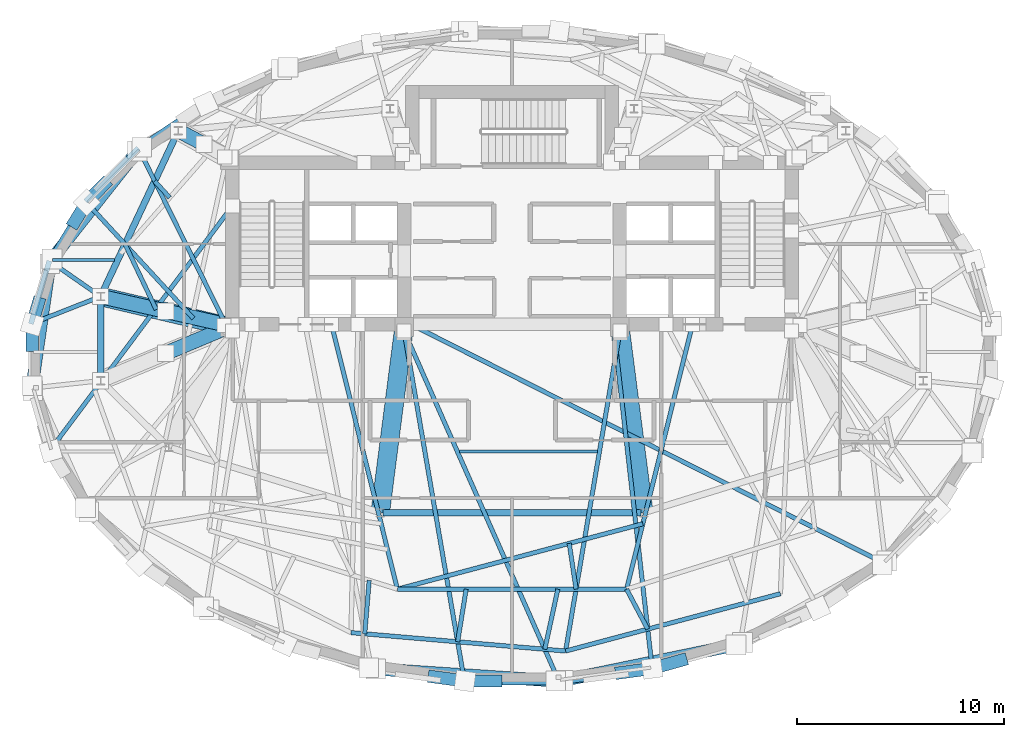
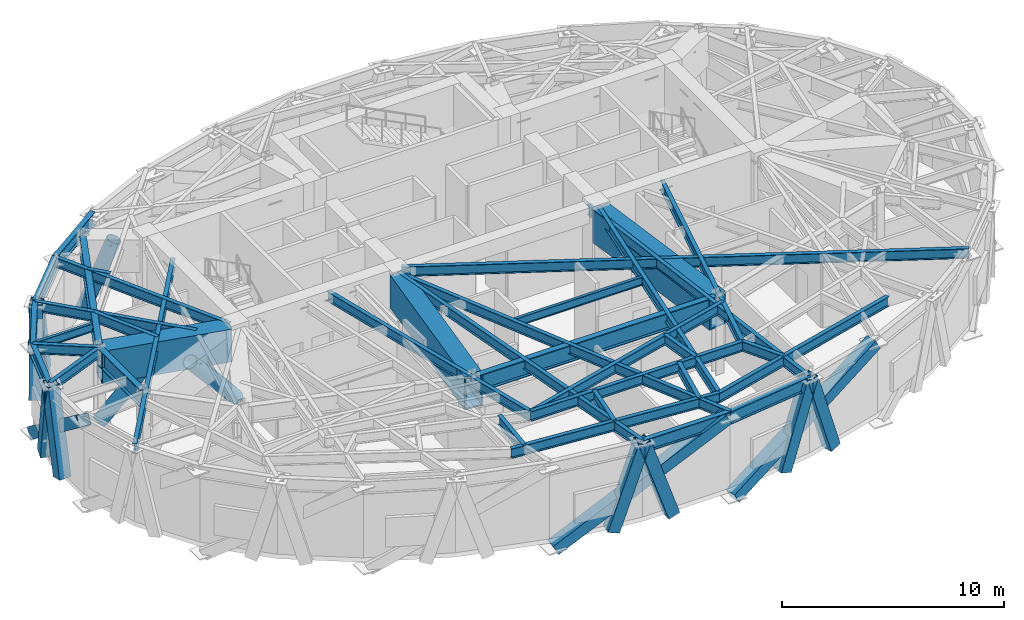
# One storey, part 2 of 12: 37 beams, 16 members.
"""IFC4 building model written with IfcOpenShell, lengths in metres."""

from ifc_helpers import new_model, si_unit, direction, frame, origin, origin_2d, place, context, subcontext, project, spatial, hollow_rectangle, hollow_circle, i_section, extrude, material, material_profile, profile_set, type_object, element, save


model = new_model("IFC4")

# Units and contexts
model_context = context("Model", 3, precision=1e-05, world=origin(), true_north=direction((0.0, 1.0)))
body_context = subcontext(model_context, "Body", "Model", "MODEL_VIEW")
ifc_project = project(units=[si_unit("LENGTHUNIT", "METRE"), si_unit("AREAUNIT", "SQUARE_METRE"), si_unit("VOLUMEUNIT", "CUBIC_METRE"), si_unit("PLANEANGLEUNIT", "RADIAN"), si_unit("MASSUNIT", "GRAM", prefix="KILO")], contexts=[model_context])

# Site, building, storey
site_placement = place(None, origin())
site = spatial("IfcSite", under=ifc_project, at=site_placement, CompositionType="ELEMENT")
building_placement = place(site_placement, origin())
building = spatial("IfcBuilding", under=site, at=building_placement, Name="Keldmark Tower", CompositionType="ELEMENT")
storey_placement = place(building_placement, frame((0.0, 0.0, 201.39990234375)))
storey = spatial("IfcBuildingStorey", under=building, at=storey_placement, Name="L56", CompositionType="ELEMENT", Elevation=201.39990234375)

# Members
ifc_material_1 = material(Name="Steel ASTM A572 Grade 50", Category="steel")
ifc_material_profile_1 = material_profile(ifc_material_1, hollow_rectangle(XDim=0.60009765625, YDim=0.60009765625, WallThickness=0.034912109375, at=origin_2d()), Name="BOX600X600X35")
ifc_profile_set_1 = profile_set([ifc_material_profile_1], Name="Steel ASTM A572 Grade 50")
member_type_1 = type_object("IfcMemberType", Name="Belt Truss Diagonal Brace BOX600", PredefinedType="BRACE", material=ifc_profile_set_1)
member_1_placement = place(storey_placement, frame((-18.066162109375, 9.88232421875, -0.539794921875), z_axis=(-0.511692605622, -0.648975245847, 0.563029135684), x_axis=(0.785268821548, -0.61915497083, 0.0)))
element("IfcMember", 1, at=member_1_placement, inside=storey, type_object=member_type_1, Name="L56 Perimeter Belt Truss Brace 07", PredefinedType="BRACE", context=body_context, shape_type="SweptSolid", body=[
    extrude(hollow_rectangle(XDim=0.60009765625, YDim=0.60009765625, WallThickness=0.034912109375, at=origin_2d()), origin(), (0.0, 0.0, 1.0), 8.027587890625),
])
member_2_placement = place(storey_placement, frame((-22.27490234375, 4.447509765625, -0.539794921875), z_axis=(-0.114320235652, -0.787550304378, 0.605553797606), x_axis=(0.989628019482, -0.14365369141, 0.0)))
element("IfcMember", 2, at=member_2_placement, inside=storey, type_object=member_type_1, Name="L56 Perimeter Belt Truss Brace 08", PredefinedType="BRACE", context=body_context, shape_type="SweptSolid", body=[
    extrude(hollow_rectangle(XDim=0.60009765625, YDim=0.60009765625, WallThickness=0.034912109375, at=origin_2d()), origin(), (0.0, 0.0, 1.0), 7.4638671875),
])
member_3_placement = place(storey_placement, frame((-6.56689453125, -15.08642578125, -0.539794921875), z_axis=(0.885279894936, -0.058980452356, 0.46130338592), x_axis=(0.066476138025, 0.997788015098, 0.0)))
element("IfcMember", 3, at=member_3_placement, inside=storey, type_object=member_type_1, Name="L56 Perimeter Belt Truss Brace 12", PredefinedType="BRACE", context=body_context, shape_type="SweptSolid", body=[
    extrude(hollow_rectangle(XDim=0.60009765625, YDim=0.60009765625, WallThickness=0.034912109375, at=origin_2d()), origin(), (0.0, 0.0, 1.0), 9.7978515625),
])
member_4_placement = place(storey_placement, frame((2.45703125, -15.639892578125, -0.539794921875), z_axis=(0.865165196499, 0.17796135577, 0.468848524173), x_axis=(-0.201478172898, 0.97949300449, 0.0)))
element("IfcMember", 4, at=member_4_placement, inside=storey, type_object=member_type_1, Name="L56 Perimeter Belt Truss Brace 13", PredefinedType="BRACE", context=body_context, shape_type="SweptSolid", body=[
    extrude(hollow_rectangle(XDim=0.60009765625, YDim=0.60009765625, WallThickness=0.034912109375, at=origin_2d()), origin(), (0.0, 0.0, 1.0), 9.64013671875),
])

# Beams
ifc_material_2 = material(Name="Steel ASTM A992 Grade 50", Category="steel")
ifc_material_profile_2 = material_profile(ifc_material_2, i_section(OverallWidth=0.153076171875, OverallDepth=0.455078125, WebThickness=0.008056640625, FlangeThickness=0.01318359375, at=origin_2d()), Name="W18X40")
ifc_profile_set_2 = profile_set([ifc_material_profile_2], Name="Steel ASTM A992 Grade 50")
beam_type_1 = type_object("IfcBeamType", Name="Composite Floor Joist W18X40", PredefinedType="JOIST", material=ifc_profile_set_2)
beam_1_placement = place(storey_placement, frame((-2.52978515625, -4.60009765625, 4.052490234375), z_axis=(1.0, 0.0, 0.0), x_axis=(0.0, 1.0, 0.0)))
element("IfcBeam", 5, at=beam_1_placement, inside=storey, type_object=beam_type_1, Name="L56 Composite Floor Joist J03", PredefinedType="JOIST", context=body_context, shape_type="SweptSolid", body=[
    extrude(i_section(OverallWidth=0.153076171875, OverallDepth=0.455078125, WebThickness=0.008056640625, FlangeThickness=0.01318359375, at=origin_2d()), origin(), (0.0, 0.0, 1.0), 6.648193359375),
])
beam_2_placement = place(storey_placement, frame((-22.135986328125, 4.6201171875, 4.052490234375), z_axis=(1.0, 0.0, 0.0), x_axis=(0.0, 1.0, 0.0)))
element("IfcBeam", 6, at=beam_2_placement, inside=storey, type_object=beam_type_1, Name="L56 Composite Floor Joist J08", PredefinedType="JOIST", context=body_context, shape_type="SweptSolid", body=[
    extrude(i_section(OverallWidth=0.153076171875, OverallDepth=0.455078125, WebThickness=0.008056640625, FlangeThickness=0.01318359375, at=origin_2d()), origin(), (0.0, 0.0, 1.0), 2.966552734375),
])

# Members
ifc_material_3 = material(Name="Steel ASTM A572 Grade 50", Category="steel")
ifc_material_profile_3 = material_profile(ifc_material_3, hollow_rectangle(XDim=0.60009765625, YDim=0.60009765625, WallThickness=0.034912109375, at=origin_2d()), Name="BOX600X600X35")
ifc_profile_set_3 = profile_set([ifc_material_profile_3], Name="Steel ASTM A572 Grade 50")
member_type_2 = type_object("IfcMemberType", Name="Diagrid Zone 4 Brace BOX600X600X35", PredefinedType="BRACE", material=ifc_profile_set_3)
member_5_placement = place(storey_placement, frame((-19.656494140625, 8.268310546875, -0.31982421875), z_axis=(-0.182345444701, -0.185029317047, 0.965667795171), x_axis=(0.712253574042, -0.701922250869, 0.0)))
element("IfcMember", 7, at=member_5_placement, inside=storey, type_object=member_type_2, Name="L56 Perimeter Diagrid Brace 07A", PredefinedType="BRACE", context=body_context, shape_type="SweptSolid", body=[
    extrude(hollow_rectangle(XDim=0.60009765625, YDim=0.60009765625, WallThickness=0.034912109375, at=origin_2d()), origin(), (0.0, 0.0, 1.0), 4.63916015625),
])
member_6_placement = place(storey_placement, frame((-21.07861328125, 6.4658203125, -0.31982421875), z_axis=(0.126211044391, 0.206632912225, 0.970244099111), x_axis=(-0.853400567022, 0.521255668752, 0.0)))
element("IfcMember", 8, at=member_6_placement, inside=storey, type_object=member_type_2, Name="L56 Perimeter Diagrid Brace 07B", PredefinedType="BRACE", context=body_context, shape_type="SweptSolid", body=[
    extrude(hollow_rectangle(XDim=0.60009765625, YDim=0.60009765625, WallThickness=0.034912109375, at=origin_2d()), origin(), (0.0, 0.0, 1.0), 4.617431640625),
])
member_7_placement = place(storey_placement, frame((-22.83349609375, 2.5439453125, -0.31982421875), z_axis=(-0.064501609198, -0.220026870849, 0.973358987484), x_axis=(0.959615623571, -0.281314512599, 0.0)))
element("IfcMember", 9, at=member_7_placement, inside=storey, type_object=member_type_2, Name="L56 Perimeter Diagrid Brace 08A", PredefinedType="BRACE", context=body_context, shape_type="SweptSolid", body=[
    extrude(hollow_rectangle(XDim=0.60009765625, YDim=0.60009765625, WallThickness=0.034912109375, at=origin_2d()), origin(), (0.0, 0.0, 1.0), 4.6025390625),
])
member_8_placement = place(storey_placement, frame((-23.128173828125, 0.51025390625, -0.31982421875), z_axis=(0.0, 0.224576375874, 0.974456490255), x_axis=(-1.0, 0.0, 0.0)))
element("IfcMember", 10, at=member_8_placement, inside=storey, type_object=member_type_2, Name="L56 Perimeter Diagrid Brace 08B", PredefinedType="BRACE", context=body_context, shape_type="SweptSolid", body=[
    extrude(hollow_rectangle(XDim=0.60009765625, YDim=0.60009765625, WallThickness=0.034912109375, at=origin_2d()), origin(), (0.0, 0.0, 1.0), 4.597412109375),
])
member_9_placement = place(storey_placement, frame((-3.759765625, -15.465087890625, -0.31982421875), z_axis=(0.315956017263, -0.042612998895, 0.947816399669), x_axis=(0.133659880997, 0.991027263102, 0.0)))
element("IfcMember", 11, at=member_9_placement, inside=storey, type_object=member_type_2, Name="L56 Perimeter Diagrid Brace 12A", PredefinedType="BRACE", context=body_context, shape_type="SweptSolid", body=[
    extrude(hollow_rectangle(XDim=0.60009765625, YDim=0.60009765625, WallThickness=0.034912109375, at=origin_2d()), origin(), (0.0, 0.0, 1.0), 4.7265625),
])
member_10_placement = place(storey_placement, frame((-0.75537109375, -15.664306640625, -0.31982421875), z_axis=(-0.321763976245, 0.0, 0.946819910855), x_axis=(0.0, -1.0, 0.0)))
element("IfcMember", 12, at=member_10_placement, inside=storey, type_object=member_type_2, Name="L56 Perimeter Diagrid Brace 12B", PredefinedType="BRACE", context=body_context, shape_type="SweptSolid", body=[
    extrude(hollow_rectangle(XDim=0.60009765625, YDim=0.60009765625, WallThickness=0.034912109375, at=origin_2d()), origin(), (0.0, 0.0, 1.0), 4.731689453125),
])
member_11_placement = place(storey_placement, frame((5.264404296875, -15.261474609375, -0.31982421875), z_axis=(0.315956017263, 0.042612998895, 0.947816399669), x_axis=(-0.133659880997, 0.991027263102, 0.0)))
element("IfcMember", 13, at=member_11_placement, inside=storey, type_object=member_type_2, Name="L56 Perimeter Diagrid Brace 13A", PredefinedType="BRACE", context=body_context, shape_type="SweptSolid", body=[
    extrude(hollow_rectangle(XDim=0.60009765625, YDim=0.60009765625, WallThickness=0.034912109375, at=origin_2d()), origin(), (0.0, 0.0, 1.0), 4.7265625),
])
member_12_placement = place(storey_placement, frame((8.15283203125, -14.667236328125, -0.31982421875), z_axis=(-0.298528759505, -0.08382845069, 0.95071203348), x_axis=(0.270348776049, -0.96276245216, 0.0)))
element("IfcMember", 14, at=member_12_placement, inside=storey, type_object=member_type_2, Name="L56 Perimeter Diagrid Brace 13B", PredefinedType="BRACE", context=body_context, shape_type="SweptSolid", body=[
    extrude(hollow_rectangle(XDim=0.60009765625, YDim=0.60009765625, WallThickness=0.034912109375, at=origin_2d()), origin(), (0.0, 0.0, 1.0), 4.712158203125),
])

# Beams
ifc_material_4 = material(Name="Steel ASTM A992 Grade 50", Category="steel")
ifc_material_profile_4 = material_profile(ifc_material_4, i_section(OverallWidth=0.31005859375, OverallDepth=0.931884765625, WebThickness=0.02099609375, FlangeThickness=0.034423828125, at=origin_2d()), Name="W36X210")
ifc_profile_set_4 = profile_set([ifc_material_profile_4], Name="Steel ASTM A992 Grade 50")
beam_type_2 = type_object("IfcBeamType", Name="Outrigger Chord Girder W36X210", PredefinedType="BEAM", material=ifc_profile_set_4)
beam_3_placement = place(storey_placement, frame((-16.140869140625, 10.734130859375, 3.814208984375), z_axis=(-0.424526823774, -0.905415360979, 0.0), x_axis=(0.905415360979, -0.424526823774, 0.0)))
element("IfcBeam", 15, at=beam_3_placement, inside=storey, type_object=beam_type_2, Name="L56 Floor Ring Girder FG-R05", PredefinedType="BEAM", context=body_context, shape_type="SweptSolid", body=[
    extrude(i_section(OverallWidth=0.31005859375, OverallDepth=0.931884765625, WebThickness=0.02099609375, FlangeThickness=0.034423828125, at=origin_2d()), origin(), (0.0, 0.0, 1.0), 8.54638671875),
])
beam_4_placement = place(storey_placement, frame((-19.828369140625, 2.729248046875, 3.814208984375), z_axis=(0.0, -1.0, 0.0), x_axis=(1.0, 0.0, 0.0)))
element("IfcBeam", 16, at=beam_4_placement, inside=storey, type_object=beam_type_2, Name="L56 Floor Ring Girder FG-R06", PredefinedType="BEAM", context=body_context, shape_type="SweptSolid", body=[
    extrude(i_section(OverallWidth=0.31005859375, OverallDepth=0.931884765625, WebThickness=0.02099609375, FlangeThickness=0.034423828125, at=origin_2d()), origin(), (0.0, 0.0, 1.0), 3.778564453125),
])
beam_5_placement = place(storey_placement, frame((-6.211181640625, -7.546142578125, 3.814208984375), z_axis=(1.0, 0.0, 0.0), x_axis=(0.0, 1.0, 0.0)))
element("IfcBeam", 17, at=beam_5_placement, inside=storey, type_object=beam_type_2, Name="L56 Floor Ring Girder FG-R09", PredefinedType="BEAM", context=body_context, shape_type="SweptSolid", body=[
    extrude(i_section(OverallWidth=0.31005859375, OverallDepth=0.931884765625, WebThickness=0.02099609375, FlangeThickness=0.034423828125, at=origin_2d()), origin(), (0.0, 0.0, 1.0), 12.42236328125),
])

# Members
ifc_material_5 = material(Name="Steel ASTM A572 Grade 50", Category="steel")
ifc_material_profile_5 = material_profile(ifc_material_5, hollow_circle(Radius=0.35009765625, WallThickness=0.031982421875, at=origin_2d()), Name="CHS700X32")
ifc_profile_set_5 = profile_set([ifc_material_profile_5], Name="Steel ASTM A572 Grade 50")
member_type_3 = type_object("IfcMemberType", Name="Outrigger Web Strut CHS700X32", PredefinedType="STRUT", material=ifc_profile_set_5)
member_13_placement = place(storey_placement, frame((-13.550048828125, 1.449951171875, 0.150146484375), z_axis=(-0.627510166364, 0.141870590576, 0.765574115706), x_axis=(-0.22051930677, -0.975382609719, 0.0)))
element("IfcMember", 18, at=member_13_placement, inside=storey, type_object=member_type_3, Name="L56 Core Outrigger Truss Strut 01A", PredefinedType="STRUT", context=body_context, shape_type="SweptSolid", body=[
    extrude(hollow_circle(Radius=0.35009765625, WallThickness=0.031982421875, at=origin_2d()), origin(), (0.0, 0.0, 1.0), 5.002685546875),
])
member_14_placement = place(storey_placement, frame((-19.828369140625, 2.869140625, 0.150146484375), z_axis=(0.627514510369, -0.141822769259, 0.765579415473), x_axis=(0.220447135807, 0.975398923679, 0.0)))
element("IfcMember", 19, at=member_14_placement, inside=storey, type_object=member_type_3, Name="L56 Core Outrigger Truss Strut 01B", PredefinedType="STRUT", context=body_context, shape_type="SweptSolid", body=[
    extrude(hollow_circle(Radius=0.35009765625, WallThickness=0.031982421875, at=origin_2d()), origin(), (0.0, 0.0, 1.0), 5.00244140625),
])
member_15_placement = place(storey_placement, frame((-13.550048828125, 1.449951171875, 0.150146484375), z_axis=(-0.612546791251, -0.25749069892, 0.747318518771), x_axis=(0.387515250943, -0.921863292623, 0.0)))
element("IfcMember", 20, at=member_15_placement, inside=storey, type_object=member_type_3, Name="L56 Core Outrigger Truss Strut 02A", PredefinedType="STRUT", context=body_context, shape_type="SweptSolid", body=[
    extrude(hollow_circle(Radius=0.35009765625, WallThickness=0.031982421875, at=origin_2d()), origin(), (0.0, 0.0, 1.0), 5.124755859375),
])
member_16_placement = place(storey_placement, frame((-16.08154296875, 10.861083984375, 0.150146484375), z_axis=(0.30418710682, -0.160712786661, 0.93895772229), x_axis=(0.467144130585, 0.884181181241, 0.0)))
element("IfcMember", 21, at=member_16_placement, inside=storey, type_object=member_type_3, Name="L56 Core Outrigger Truss Strut 03B", PredefinedType="STRUT", context=body_context, shape_type="SweptSolid", body=[
    extrude(hollow_circle(Radius=0.35009765625, WallThickness=0.031982421875, at=origin_2d()), origin(), (0.0, 0.0, 1.0), 4.078857421875),
])

# Beams
ifc_material_6 = material(Name="Steel ASTM A572 Grade 50", Category="steel")
ifc_material_profile_6 = material_profile(ifc_material_6, hollow_rectangle(XDim=0.89990234375, YDim=1.800048828125, WallThickness=0.074951171875, at=origin_2d()), Name="TBOX1800X900X75")
ifc_profile_set_6 = profile_set([ifc_material_profile_6], Name="Steel ASTM A572 Grade 50")
beam_type_3 = type_object("IfcBeamType", Name="Perimeter Transfer Box Girder 1800x900", PredefinedType="USERDEFINED", material=ifc_profile_set_6)
beam_6_placement = place(storey_placement, frame((-19.828369140625, 2.869140625, 3.380126953125), z_axis=(0.973292492825, -0.229568559283, 0.0), x_axis=(0.229568559283, 0.973292492825, 0.0)))
element("IfcBeam", 22, at=beam_6_placement, inside=storey, type_object=beam_type_3, Name="L56 Upper Crown Transfer Box Girder UTB-TC-W1", ObjectType="TRANSFER GIRDER", PredefinedType="USERDEFINED", context=body_context, shape_type="SweptSolid", body=[
    extrude(hollow_rectangle(XDim=0.89990234375, YDim=1.800048828125, WallThickness=0.074951171875, at=origin_2d()), origin(), (0.0, 0.0, 1.0), 6.119140625),
])
for number, where, z_axis, x_axis, name in (
    (23, (-6.351318359375, -7.546142578125, 3.380126953125), (0.127657568925, 0.991818302461, 0.0), (-0.991818302461, 0.127657568925, 0.0), "L56 Upper Crown Transfer Box Girder UTB-TC-W3"),
    (24, (6.351318359375, -7.546142578125, 3.380126953125), (-0.127657568925, 0.991818302461, 0.0), (-0.991818302461, -0.127657568925, 0.0), "L56 Upper Crown Transfer Box Girder UTB-TC-E3"),
):
    element("IfcBeam", number, at=place(storey_placement, frame(where, z_axis=z_axis, x_axis=x_axis)), inside=storey, type_object=beam_type_3, Name=name, ObjectType="TRANSFER GIRDER", PredefinedType="USERDEFINED", context=body_context, shape_type="SweptSolid", body=[
        extrude(hollow_rectangle(XDim=0.89990234375, YDim=1.800048828125, WallThickness=0.074951171875, at=origin_2d()), origin(), (0.0, 0.0, 1.0), 8.739990234375),
    ])
ifc_material_7 = material(Name="Steel ASTM A992 Grade 50", Category="steel")
ifc_material_profile_7 = material_profile(ifc_material_7, i_section(OverallWidth=0.2099609375, OverallDepth=0.537109375, WebThickness=0.010986328125, FlangeThickness=0.017333984375, at=origin_2d()), Name="W21X68")
ifc_profile_set_7 = profile_set([ifc_material_profile_7], Name="Steel ASTM A992 Grade 50")
beam_type_4 = type_object("IfcBeamType", Name="Radial Tie Girder W21X68", PredefinedType="BEAM", material=ifc_profile_set_7)
beam_7_placement = place(storey_placement, frame((-8.699951171875, 1.52490234375, 4.01171875), z_axis=(0.24159651777, -0.970376794138, 0.0), x_axis=(0.970376794138, 0.24159651777, 0.0)))
element("IfcBeam", 25, at=beam_7_placement, inside=storey, type_object=beam_type_4, Name="L56 Sub-Ring Step Girder STP1-M09", PredefinedType="BEAM", context=body_context, shape_type="SweptSolid", body=[
    extrude(i_section(OverallWidth=0.2099609375, OverallDepth=0.537109375, WebThickness=0.010986328125, FlangeThickness=0.017333984375, at=origin_2d()), origin(), (0.0, 0.0, 1.0), 13.153076171875),
])
beam_8_placement = place(storey_placement, frame((-5.522216796875, -11.238525390625, 4.01171875), z_axis=(0.966246522673, 0.257619210121, 0.0), x_axis=(-0.257619210121, 0.966246522673, 0.0)))
element("IfcBeam", 26, at=beam_8_placement, inside=storey, type_object=beam_type_4, Name="L56 Framing Pin Header PH-003", PredefinedType="BEAM", context=body_context, shape_type="SweptSolid", body=[
    extrude(i_section(OverallWidth=0.2099609375, OverallDepth=0.537109375, WebThickness=0.010986328125, FlangeThickness=0.017333984375, at=origin_2d()), origin(), (0.0, 0.0, 1.0), 12.2431640625),
])
beam_9_placement = place(storey_placement, frame((8.699951171875, 1.52490234375, 4.01171875), z_axis=(-0.24159651777, -0.970376794138, 0.0), x_axis=(0.970376794138, -0.24159651777, 0.0)))
element("IfcBeam", 27, at=beam_9_placement, inside=storey, type_object=beam_type_4, Name="L56 Sub-Ring Step Girder STP1-M10", PredefinedType="BEAM", context=body_context, shape_type="SweptSolid", body=[
    extrude(i_section(OverallWidth=0.2099609375, OverallDepth=0.537109375, WebThickness=0.010986328125, FlangeThickness=0.017333984375, at=origin_2d()), origin(), (0.0, 0.0, 1.0), 13.153076171875),
])
beam_10_placement = place(storey_placement, frame((-5.522216796875, -11.238525390625, 4.01171875), z_axis=(1.0, 0.0, 0.0), x_axis=(0.0, 1.0, 0.0)))
element("IfcBeam", 28, at=beam_10_placement, inside=storey, type_object=beam_type_4, Name="L56 Perimeter Collector Ring Beam CRG1-M09", PredefinedType="BEAM", context=body_context, shape_type="SweptSolid", body=[
    extrude(i_section(OverallWidth=0.2099609375, OverallDepth=0.537109375, WebThickness=0.010986328125, FlangeThickness=0.017333984375, at=origin_2d()), origin(), (0.0, 0.0, 1.0), 11.04443359375),
])
beam_11_placement = place(storey_placement, frame((2.758544921875, -9.03076171875, 4.01171875), z_axis=(0.148078402754, -0.988975624896, 0.0), x_axis=(0.988975624896, 0.148078402754, 0.0)))
element("IfcBeam", 29, at=beam_11_placement, inside=storey, type_object=beam_type_4, Name="L56 Framing Pin Header PH-007", PredefinedType="BEAM", context=body_context, shape_type="SweptSolid", body=[
    extrude(i_section(OverallWidth=0.2099609375, OverallDepth=0.537109375, WebThickness=0.010986328125, FlangeThickness=0.017333984375, at=origin_2d()), origin(), (0.0, 0.0, 1.0), 2.232421875),
])
beam_12_placement = place(storey_placement, frame((5.199951171875, 1.199951171875, 4.01171875), z_axis=(-0.167314222464, -0.985903621538, 0.0), x_axis=(0.985903621538, -0.167314222464, 0.0)))
element("IfcBeam", 30, at=beam_12_placement, inside=storey, type_object=beam_type_4, Name="L56 Sub-Ring Step Girder STP2-M10", PredefinedType="BEAM", context=body_context, shape_type="SweptSolid", body=[
    extrude(i_section(OverallWidth=0.2099609375, OverallDepth=0.537109375, WebThickness=0.010986328125, FlangeThickness=0.017333984375, at=origin_2d()), origin(), (0.0, 0.0, 1.0), 15.640869140625),
])
beam_13_placement = place(storey_placement, frame((-7.759765625, -13.333740234375, 4.01171875), z_axis=(0.99634504792, -0.085419819046, 0.0), x_axis=(0.085419819046, 0.99634504792, 0.0)))
element("IfcBeam", 31, at=beam_13_placement, inside=storey, type_object=beam_type_4, Name="L56 Perimeter Collector Ring Beam CRG2-M09", PredefinedType="BEAM", context=body_context, shape_type="SweptSolid", body=[
    extrude(i_section(OverallWidth=0.2099609375, OverallDepth=0.537109375, WebThickness=0.010986328125, FlangeThickness=0.017333984375, at=origin_2d()), origin(), (0.0, 0.0, 1.0), 10.380615234375),
])
beam_14_placement = place(storey_placement, frame((2.5830078125, -14.220458984375, 4.01171875), z_axis=(0.966193705448, 0.257817228968, 0.0), x_axis=(-0.257817228968, 0.966193705448, 0.0)))
element("IfcBeam", 32, at=beam_14_placement, inside=storey, type_object=beam_type_4, Name="L56 Perimeter Collector Ring Beam CRG2-M10", PredefinedType="BEAM", context=body_context, shape_type="SweptSolid", body=[
    extrude(i_section(OverallWidth=0.2099609375, OverallDepth=0.537109375, WebThickness=0.010986328125, FlangeThickness=0.017333984375, at=origin_2d()), origin(), (0.0, 0.0, 1.0), 10.71484375),
])
beam_15_placement = place(storey_placement, frame((-16.498291015625, 7.631591796875, 4.01171875), z_axis=(-0.671453299328, 0.741046872216, 0.0), x_axis=(-0.741046872216, -0.671453299328, 0.0)))
element("IfcBeam", 33, at=beam_15_placement, inside=storey, type_object=beam_type_4, Name="L56 Framing Pin Header PH-016", PredefinedType="BEAM", context=body_context, shape_type="SweptSolid", body=[
    extrude(i_section(OverallWidth=0.2099609375, OverallDepth=0.537109375, WebThickness=0.010986328125, FlangeThickness=0.017333984375, at=origin_2d()), origin(), (0.0, 0.0, 1.0), 1.076904296875),
])
beam_16_placement = place(storey_placement, frame((-13.800048828125, 1.52490234375, 4.01171875), z_axis=(-0.443977627174, 0.896037871169, 0.0), x_axis=(-0.896037871169, -0.443977627174, 0.0)))
element("IfcBeam", 34, at=beam_16_placement, inside=storey, type_object=beam_type_4, Name="L56 Perimeter Radial Tie Girder RT-13", PredefinedType="BEAM", context=body_context, shape_type="SweptSolid", body=[
    extrude(i_section(OverallWidth=0.2099609375, OverallDepth=0.537109375, WebThickness=0.010986328125, FlangeThickness=0.017333984375, at=origin_2d()), origin(), (0.0, 0.0, 1.0), 9.484619140625),
])
beam_17_placement = place(storey_placement, frame((-17.148193359375, 2.237060546875, 4.01171875), z_axis=(-0.430333005218, 0.902670208116, 0.0), x_axis=(-0.902670208116, -0.430333005218, 0.0)))
element("IfcBeam", 35, at=beam_17_placement, inside=storey, type_object=beam_type_4, Name="L56 Framing Pin Header PH-017", PredefinedType="BEAM", context=body_context, shape_type="SweptSolid", body=[
    extrude(i_section(OverallWidth=0.2099609375, OverallDepth=0.537109375, WebThickness=0.010986328125, FlangeThickness=0.017333984375, at=origin_2d()), origin(), (0.0, 0.0, 1.0), 3.4873046875),
])
beam_18_placement = place(storey_placement, frame((-15.361572265625, 1.8154296875, 4.01171875), z_axis=(-0.677430813024, 0.735586496318, 0.0), x_axis=(-0.735586496318, -0.677430813024, 0.0)))
element("IfcBeam", 36, at=beam_18_placement, inside=storey, type_object=beam_type_4, Name="L56 Perimeter Radial Tie Girder RT-14", PredefinedType="BEAM", context=body_context, shape_type="SweptSolid", body=[
    extrude(i_section(OverallWidth=0.2099609375, OverallDepth=0.537109375, WebThickness=0.010986328125, FlangeThickness=0.017333984375, at=origin_2d()), origin(), (0.0, 0.0, 1.0), 7.6572265625),
])
beam_19_placement = place(storey_placement, frame((-19.828369140625, 2.869140625, 4.01171875), z_axis=(-0.82086879222, 0.57111682339, 0.0), x_axis=(-0.57111682339, -0.82086879222, 0.0)))
element("IfcBeam", 37, at=beam_19_placement, inside=storey, type_object=beam_type_4, Name="L56 Perimeter Column Bracket RT-15", PredefinedType="BEAM", context=body_context, shape_type="SweptSolid", body=[
    extrude(i_section(OverallWidth=0.2099609375, OverallDepth=0.537109375, WebThickness=0.010986328125, FlangeThickness=0.017333984375, at=origin_2d()), origin(), (0.0, 0.0, 1.0), 3.0068359375),
])
beam_20_placement = place(storey_placement, frame((-19.828369140625, 2.869140625, 4.01171875), z_axis=(-0.930675840423, -0.365844885236, 0.0), x_axis=(0.365844885236, -0.930675840423, 0.0)))
element("IfcBeam", 38, at=beam_20_placement, inside=storey, type_object=beam_type_4, Name="L56 Perimeter Column Bracket RT-16", PredefinedType="BEAM", context=body_context, shape_type="SweptSolid", body=[
    extrude(i_section(OverallWidth=0.2099609375, OverallDepth=0.537109375, WebThickness=0.010986328125, FlangeThickness=0.017333984375, at=origin_2d()), origin(), (0.0, 0.0, 1.0), 3.609619140625),
])
beam_21_placement = place(storey_placement, frame((-13.47509765625, 7.235595703125, 4.01171875), z_axis=(-0.598046490454, -0.801461412206, 0.0), x_axis=(0.801461412206, -0.598046490454, 0.0)))
element("IfcBeam", 39, at=beam_21_placement, inside=storey, type_object=beam_type_4, Name="L56 Perimeter Radial Tie Girder RT-18", PredefinedType="BEAM", context=body_context, shape_type="SweptSolid", body=[
    extrude(i_section(OverallWidth=0.2099609375, OverallDepth=0.537109375, WebThickness=0.010986328125, FlangeThickness=0.017333984375, at=origin_2d()), origin(), (0.0, 0.0, 1.0), 14.75048828125),
])
beam_22_placement = place(storey_placement, frame((-6.8837890625, -10.81298828125, 4.01171875), z_axis=(-0.082498644489, -0.996591176791, 0.0), x_axis=(0.996591176791, -0.082498644489, 0.0)))
element("IfcBeam", 40, at=beam_22_placement, inside=storey, type_object=beam_type_4, Name="L56 Framing Pin Header PH-021", PredefinedType="BEAM", context=body_context, shape_type="SweptSolid", body=[
    extrude(i_section(OverallWidth=0.2099609375, OverallDepth=0.537109375, WebThickness=0.010986328125, FlangeThickness=0.017333984375, at=origin_2d()), origin(), (0.0, 0.0, 1.0), 2.58642578125),
])
beam_23_placement = place(storey_placement, frame((-2.208984375, -11.238525390625, 4.01171875), z_axis=(-0.159850914059, -0.987141167855, 0.0), x_axis=(0.987141167855, -0.159850914059, 0.0)))
element("IfcBeam", 41, at=beam_23_placement, inside=storey, type_object=beam_type_4, Name="L56 Framing Pin Header PH-022", PredefinedType="BEAM", context=body_context, shape_type="SweptSolid", body=[
    extrude(i_section(OverallWidth=0.2099609375, OverallDepth=0.537109375, WebThickness=0.010986328125, FlangeThickness=0.017333984375, at=origin_2d()), origin(), (0.0, 0.0, 1.0), 2.56884765625),
])
beam_24_placement = place(storey_placement, frame((-5.199951171875, 1.199951171875, 4.01171875), z_axis=(0.169814082779, -0.985476117057, 0.0), x_axis=(0.985476117057, 0.169814082779, 0.0)))
element("IfcBeam", 42, at=beam_24_placement, inside=storey, type_object=beam_type_4, Name="L56 Perimeter Radial Tie Girder RT-24", PredefinedType="BEAM", context=body_context, shape_type="SweptSolid", body=[
    extrude(i_section(OverallWidth=0.2099609375, OverallDepth=0.537109375, WebThickness=0.010986328125, FlangeThickness=0.017333984375, at=origin_2d()), origin(), (0.0, 0.0, 1.0), 17.17333984375),
])
beam_25_placement = place(storey_placement, frame((2.208984375, -11.238525390625, 4.01171875), z_axis=(-0.211902863335, -0.977290732848, 0.0), x_axis=(0.977290732848, -0.211902863335, 0.0)))
element("IfcBeam", 43, at=beam_25_placement, inside=storey, type_object=beam_type_4, Name="L56 Framing Pin Header PH-023", PredefinedType="BEAM", context=body_context, shape_type="SweptSolid", body=[
    extrude(i_section(OverallWidth=0.2099609375, OverallDepth=0.537109375, WebThickness=0.010986328125, FlangeThickness=0.017333984375, at=origin_2d()), origin(), (0.0, 0.0, 1.0), 2.96337890625),
])
beam_26_placement = place(storey_placement, frame((-5.199951171875, 1.199951171875, 4.01171875), z_axis=(0.404420281792, -0.914573253313, 0.0), x_axis=(0.914573253313, 0.404420281792, 0.0)))
element("IfcBeam", 44, at=beam_26_placement, inside=storey, type_object=beam_type_4, Name="L56 Perimeter Radial Tie Girder RT-25", PredefinedType="BEAM", context=body_context, shape_type="SweptSolid", body=[
    extrude(i_section(OverallWidth=0.2099609375, OverallDepth=0.537109375, WebThickness=0.010986328125, FlangeThickness=0.017333984375, at=origin_2d()), origin(), (0.0, 0.0, 1.0), 18.504638671875),
])
beam_27_placement = place(storey_placement, frame((5.522216796875, -11.238525390625, 4.01171875), z_axis=(0.467934055278, -0.883763384573, 0.0), x_axis=(0.883763384573, 0.467934055278, 0.0)))
element("IfcBeam", 45, at=beam_27_placement, inside=storey, type_object=beam_type_4, Name="L56 Framing Pin Header PH-024", PredefinedType="BEAM", context=body_context, shape_type="SweptSolid", body=[
    extrude(i_section(OverallWidth=0.2099609375, OverallDepth=0.537109375, WebThickness=0.010986328125, FlangeThickness=0.017333984375, at=origin_2d()), origin(), (0.0, 0.0, 1.0), 2.1787109375),
])
beam_28_placement = place(storey_placement, frame((4.875, 1.52490234375, 4.01171875), z_axis=(0.112747487913, -0.993623673213, 0.0), x_axis=(0.993623673213, 0.112747487913, 0.0)))
element("IfcBeam", 46, at=beam_28_placement, inside=storey, type_object=beam_type_4, Name="L56 Perimeter Radial Tie Girder RT-26", PredefinedType="BEAM", context=body_context, shape_type="SweptSolid", body=[
    extrude(i_section(OverallWidth=0.2099609375, OverallDepth=0.537109375, WebThickness=0.010986328125, FlangeThickness=0.017333984375, at=origin_2d()), origin(), (0.0, 0.0, 1.0), 16.75146484375),
])
beam_29_placement = place(storey_placement, frame((-4.875, 1.52490234375, 4.01171875), z_axis=(0.892777328412, -0.450498215173, 0.0), x_axis=(0.450498215173, 0.892777328412, 0.0)))
element("IfcBeam", 47, at=beam_29_placement, inside=storey, type_object=beam_type_4, Name="L56 Perimeter Radial Tie Girder RT-29", PredefinedType="BEAM", context=body_context, shape_type="SweptSolid", body=[
    extrude(i_section(OverallWidth=0.2099609375, OverallDepth=0.537109375, WebThickness=0.010986328125, FlangeThickness=0.017333984375, at=origin_2d()), origin(), (0.0, 0.0, 1.0), 25.634521484375),
])
ifc_material_8 = material(Name="Steel ASTM A992 Grade 50", Category="steel")
ifc_material_profile_8 = material_profile(ifc_material_8, i_section(OverallWidth=0.256103515625, OverallDepth=0.693115234375, WebThickness=0.014404296875, FlangeThickness=0.023681640625, at=origin_2d()), Name="W27X114")
ifc_profile_set_8 = profile_set([ifc_material_profile_8], Name="Steel ASTM A992 Grade 50")
beam_type_5 = type_object("IfcBeamType", Name="Spandrel Ring Beam W27X114", PredefinedType="SPANDREL", material=ifc_profile_set_8)
beam_30_placement = place(storey_placement, frame((-14.781494140625, 12.213623046875, 3.93359375), z_axis=(-0.827625248145, -0.5612810781, 0.0), x_axis=(0.5612810781, -0.827625248145, 0.0)))
element("IfcBeam", 48, at=beam_30_placement, inside=storey, type_object=beam_type_5, Name="L56 Perimeter Spandrel Ring Beam SRB-12", PredefinedType="SPANDREL", context=body_context, shape_type="SweptSolid", body=[
    extrude(i_section(OverallWidth=0.256103515625, OverallDepth=0.693115234375, WebThickness=0.014404296875, FlangeThickness=0.023681640625, at=origin_2d()), origin(), (0.0, 0.0, 1.0), 3.902099609375),
])
beam_31_placement = place(storey_placement, frame((-18.010986328125, 10.0234375, 3.93359375), z_axis=(-0.701888492814, -0.712286840855, 0.0), x_axis=(0.712286840855, -0.701888492814, 0.0)))
element("IfcBeam", 49, at=beam_31_placement, inside=storey, type_object=beam_type_5, Name="L56 Perimeter Spandrel Ring Beam SRB-13", PredefinedType="SPANDREL", context=body_context, shape_type="SweptSolid", body=[
    extrude(i_section(OverallWidth=0.256103515625, OverallDepth=0.693115234375, WebThickness=0.014404296875, FlangeThickness=0.023681640625, at=origin_2d()), origin(), (0.0, 0.0, 1.0), 3.61572265625),
])
beam_32_placement = place(storey_placement, frame((-20.548828125, 7.447998046875, 3.93359375), z_axis=(-0.521246781142, -0.853405995497, 0.0), x_axis=(0.853405995497, -0.521246781142, 0.0)))
element("IfcBeam", 50, at=beam_32_placement, inside=storey, type_object=beam_type_5, Name="L56 Perimeter Spandrel Ring Beam SRB-14", PredefinedType="SPANDREL", context=body_context, shape_type="SweptSolid", body=[
    extrude(i_section(OverallWidth=0.256103515625, OverallDepth=0.693115234375, WebThickness=0.014404296875, FlangeThickness=0.023681640625, at=origin_2d()), origin(), (0.0, 0.0, 1.0), 3.35302734375),
])
beam_33_placement = place(storey_placement, frame((-22.296630859375, 4.58642578125, 3.93359375), z_axis=(-0.281477355005, -0.959567870773, 0.0), x_axis=(0.959567870773, -0.281477355005, 0.0)))
element("IfcBeam", 51, at=beam_33_placement, inside=storey, type_object=beam_type_5, Name="L56 Perimeter Spandrel Ring Beam SRB-15", PredefinedType="SPANDREL", context=body_context, shape_type="SweptSolid", body=[
    extrude(i_section(OverallWidth=0.256103515625, OverallDepth=0.693115234375, WebThickness=0.014404296875, FlangeThickness=0.023681640625, at=origin_2d()), origin(), (0.0, 0.0, 1.0), 3.165771484375),
])
beam_34_placement = place(storey_placement, frame((-2.28369140625, -15.723876953125, 3.93359375), z_axis=(1.0, 0.0, 0.0), x_axis=(0.0, 1.0, 0.0)))
element("IfcBeam", 52, at=beam_34_placement, inside=storey, type_object=beam_type_5, Name="L56 Perimeter Spandrel Ring Beam SRB-24", PredefinedType="SPANDREL", context=body_context, shape_type="SweptSolid", body=[
    extrude(i_section(OverallWidth=0.256103515625, OverallDepth=0.693115234375, WebThickness=0.014404296875, FlangeThickness=0.023681640625, at=origin_2d()), origin(), (0.0, 0.0, 1.0), 4.5673828125),
])
beam_35_placement = place(storey_placement, frame((2.28369140625, -15.723876953125, 3.93359375), z_axis=(0.991026298245, 0.133667034777, 0.0), x_axis=(-0.133667034777, 0.991026298245, 0.0)))
element("IfcBeam", 53, at=beam_35_placement, inside=storey, type_object=beam_type_5, Name="L56 Perimeter Spandrel Ring Beam SRB-25", PredefinedType="SPANDREL", context=body_context, shape_type="SweptSolid", body=[
    extrude(i_section(OverallWidth=0.256103515625, OverallDepth=0.693115234375, WebThickness=0.014404296875, FlangeThickness=0.023681640625, at=origin_2d()), origin(), (0.0, 0.0, 1.0), 4.5205078125),
])

save(model, "model.ifc")
